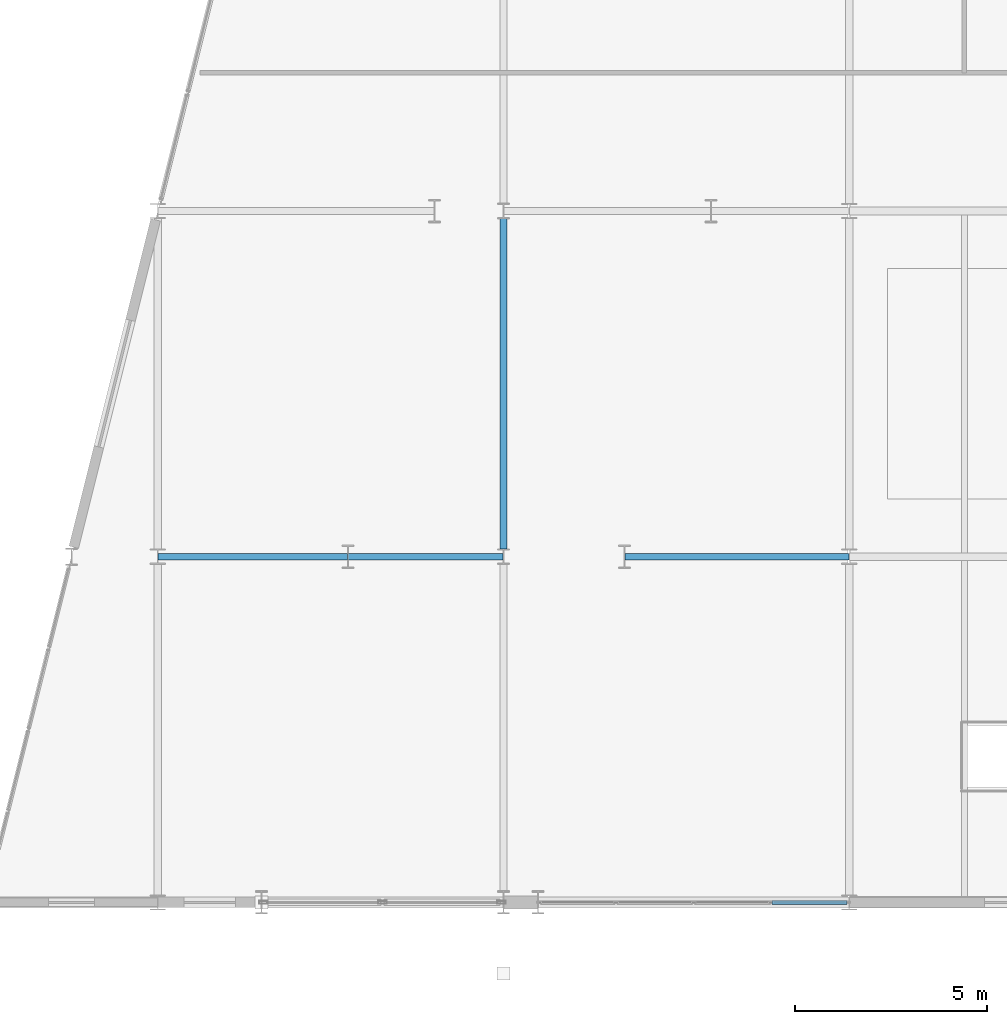
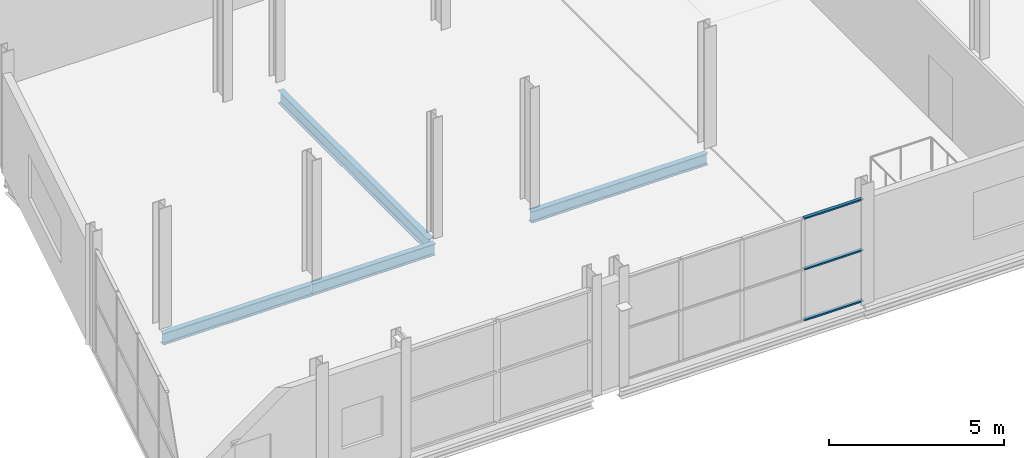
# One storey, part 37 of 88: 4 beams, 3 members, 1 element without a shape of its own.
"""IFC4 building model written with IfcOpenShell, lengths in metres."""

from ifc_helpers import new_model, si_unit, direction, frame, origin, origin_2d, place, context, subcontext, project, spatial, hollow_rectangle, i_section, extrude, material, layer, layer_set, material_profile, profile_set, type_object, element, aggregate, save


model = new_model("IFC4")

# Units and contexts
model_context = context("Model", 3, precision=1e-05, world=origin(), true_north=direction((0.0, 1.0)))
body_context = subcontext(model_context, "Body", "Model", "MODEL_VIEW")
ifc_project = project(units=[si_unit("LENGTHUNIT", "METRE"), si_unit("AREAUNIT", "SQUARE_METRE"), si_unit("VOLUMEUNIT", "CUBIC_METRE"), si_unit("PLANEANGLEUNIT", "RADIAN"), si_unit("MASSUNIT", "GRAM", prefix="KILO")], contexts=[model_context])

# Site, building, storey
site_placement = place(None, origin())
site = spatial("IfcSite", under=ifc_project, at=site_placement, CompositionType="ELEMENT")
building_placement = place(site_placement, origin())
building = spatial("IfcBuilding", under=site, at=building_placement, Name="Deido Ridge Mobility Hub", CompositionType="ELEMENT")
storey_placement = place(building_placement, frame((0.0, 0.0, 16.800048828125)))
storey = spatial("IfcBuildingStorey", under=building, at=storey_placement, Name="L04", CompositionType="ELEMENT", Elevation=16.800048828125)

# Beams
ifc_material_1 = material(Name="Steel S355J2 EN 10025-2", Category="steel")
ifc_material_profile_1 = material_profile(ifc_material_1, i_section(OverallWidth=0.179931640625, OverallDepth=0.39990234375, WebThickness=0.008544921875, FlangeThickness=0.013427734375, FilletRadius=0.02099609375, at=origin_2d()), Name="IPE 400")
ifc_profile_set_1 = profile_set([ifc_material_profile_1], Name="Steel S355J2 EN 10025-2")
beam_type_1 = type_object("IfcBeamType", Name="BM-IPE400", PredefinedType="BEAM", material=ifc_profile_set_1)
beam_1_placement = place(storey_placement, frame((126.0087890625, 9.0, -0.47509765625), z_axis=(1.0, 0.0, 0.0), x_axis=(0.0, 1.0, 0.0)))
element("IfcBeam", 1, at=beam_1_placement, inside=storey, type_object=beam_type_1, Name="Floor beam B5", PredefinedType="BEAM", context=body_context, shape_type="SweptSolid", body=[
    extrude(i_section(OverallWidth=0.179931640625, OverallDepth=0.39990234375, WebThickness=0.008544921875, FlangeThickness=0.013427734375, FilletRadius=0.02099609375, at=origin_2d()), origin(), (0.0, 0.0, 1.0), 4.93359375),
])
beam_2_placement = place(storey_placement, frame((130.957763671875, 9.0, -0.47509765625), z_axis=(1.0, 0.0, 0.0), x_axis=(0.0, 1.0, 0.0)))
element("IfcBeam", 2, at=beam_2_placement, inside=storey, type_object=beam_type_1, Name="Floor beam B5", PredefinedType="BEAM", context=body_context, shape_type="SweptSolid", body=[
    extrude(i_section(OverallWidth=0.179931640625, OverallDepth=0.39990234375, WebThickness=0.008544921875, FlangeThickness=0.013427734375, FilletRadius=0.02099609375, at=origin_2d()), origin(), (0.0, 0.0, 1.0), 4.035400390625),
])
beam_3_placement = place(storey_placement, frame((138.15771484375, 9.0, -0.47509765625), z_axis=(1.0, 0.0, 0.0), x_axis=(0.0, 1.0, 0.0)))
element("IfcBeam", 3, at=beam_3_placement, inside=storey, type_object=beam_type_1, Name="Floor beam B5", PredefinedType="BEAM", context=body_context, shape_type="SweptSolid", body=[
    extrude(i_section(OverallWidth=0.179931640625, OverallDepth=0.39990234375, WebThickness=0.008544921875, FlangeThickness=0.013427734375, FilletRadius=0.02099609375, at=origin_2d()), origin(), (0.0, 0.0, 1.0), 5.83349609375),
])
ifc_material_profile_2 = material_profile(ifc_material_1, i_section(OverallWidth=0.18994140625, OverallDepth=0.449951171875, WebThickness=0.009521484375, FlangeThickness=0.0146484375, FilletRadius=0.02099609375, at=origin_2d()), Name="IPE 450")
ifc_profile_set_2 = profile_set([ifc_material_profile_2], Name="Steel S355J2 EN 10025-2")
beam_type_2 = type_object("IfcBeamType", Name="BM-IPE450", PredefinedType="BEAM", material=ifc_profile_set_2)
beam_4_placement = place(storey_placement, frame((135.0, 9.199951171875, -0.5), z_axis=(0.0, 1.0, 0.0), x_axis=(-1.0, 0.0, 0.0)))
element("IfcBeam", 4, at=beam_4_placement, inside=storey, type_object=beam_type_2, Name="Floor beam B4", PredefinedType="BEAM", context=body_context, shape_type="SweptSolid", body=[
    extrude(i_section(OverallWidth=0.18994140625, OverallDepth=0.449951171875, WebThickness=0.009521484375, FlangeThickness=0.0146484375, FilletRadius=0.02099609375, at=origin_2d()), origin(), (0.0, 0.0, 1.0), 8.60009765625),
])

# Curtain wall, members
ifc_material_2 = material(Name="Anodised aluminium EN AW-6063 T6", Category="aluminium")
ifc_layer = layer(ifc_material_2, 0.1650390625, Name="Anodised aluminium EN AW-6063 T6")
ifc_layer_set = layer_set([ifc_layer], Name="Anodised aluminium EN AW-6063 T6")
curtain_wall_type = type_object("IfcCurtainWallType", Name="CW-UF-1", PredefinedType="USERDEFINED", material=ifc_layer_set)
curtain_wall_placement = place(storey_placement, origin())
curtain_wall = element("IfcCurtainWall", 5, at=curtain_wall_placement, inside=storey, type_object=curtain_wall_type, Name="Unitised curtain wall CW1", ObjectType="UNITISED FACADE", PredefinedType="USERDEFINED")
ifc_material_profile_3 = material_profile(ifc_material_2, hollow_rectangle(XDim=0.10498046875, YDim=0.050048828125, WallThickness=0.00390625, at=origin_2d()), Name="RHS 105x50x4")
ifc_profile_set_3 = profile_set([ifc_material_profile_3], Name="Anodised aluminium EN AW-6063 T6")
member_type = type_object("IfcMemberType", Name="MEM-TRN-105X50", PredefinedType="USERDEFINED", material=ifc_profile_set_3)
member_1_placement = place(storey_placement, frame((141.995361328125, 0.0, 0.02490234375), z_axis=(1.0, 0.0, 0.0), x_axis=(0.0, 1.0, 0.0)))
member_1 = element("IfcMember", 6, at=member_1_placement, type_object=member_type, Name="CW1 transom 4.1", ObjectType="TRANSOM", PredefinedType="USERDEFINED", context=body_context, shape_type="SweptSolid", body=[
    extrude(hollow_rectangle(XDim=0.10498046875, YDim=0.050048828125, WallThickness=0.00390625, at=origin_2d()), origin(), (0.0, 0.0, 1.0), 1.946044921875),
])
member_2_placement = place(storey_placement, frame((141.995361328125, 0.0, 1.800048828125), z_axis=(1.0, 0.0, 0.0), x_axis=(0.0, 1.0, 0.0)))
member_2 = element("IfcMember", 7, at=member_2_placement, type_object=member_type, Name="CW1 transom 4.2", ObjectType="TRANSOM", PredefinedType="USERDEFINED", context=body_context, shape_type="SweptSolid", body=[
    extrude(hollow_rectangle(XDim=0.10498046875, YDim=0.050048828125, WallThickness=0.00390625, at=origin_2d()), origin(), (0.0, 0.0, 1.0), 1.946044921875),
])
member_3_placement = place(storey_placement, frame((141.995361328125, 0.0, 3.574951171875), z_axis=(1.0, 0.0, 0.0), x_axis=(0.0, 1.0, 0.0)))
member_3 = element("IfcMember", 8, at=member_3_placement, type_object=member_type, Name="CW1 transom 4.3", ObjectType="TRANSOM", PredefinedType="USERDEFINED", context=body_context, shape_type="SweptSolid", body=[
    extrude(hollow_rectangle(XDim=0.10498046875, YDim=0.050048828125, WallThickness=0.00390625, at=origin_2d()), origin(), (0.0, 0.0, 1.0), 1.946044921875),
])
aggregate(curtain_wall, [member_1, member_2, member_3])

save(model, "model.ifc")
